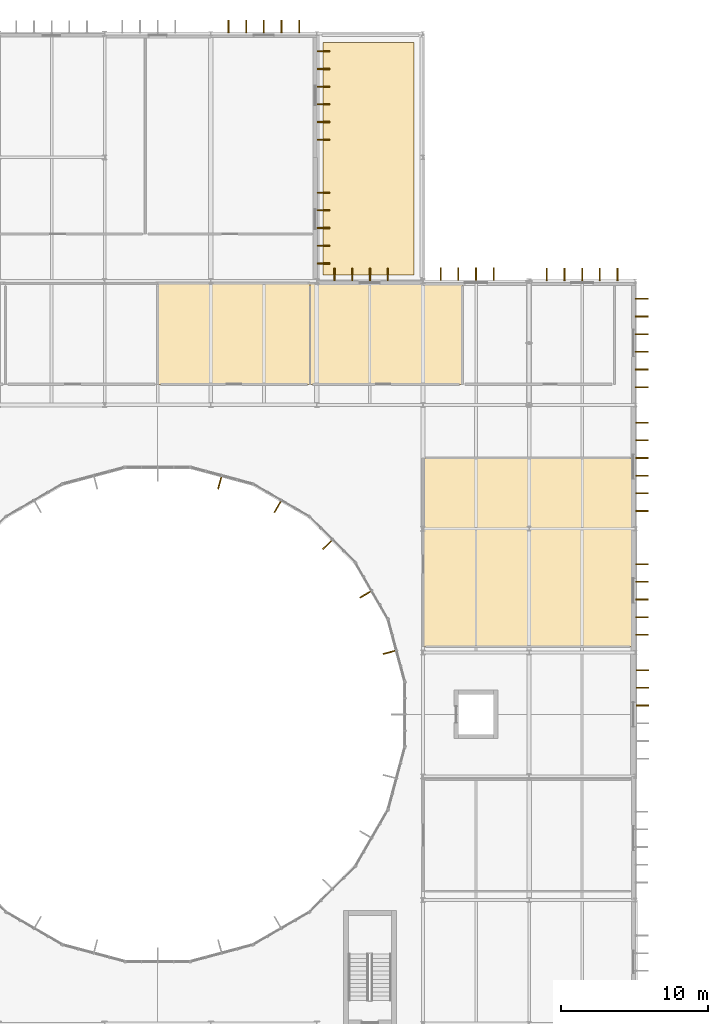
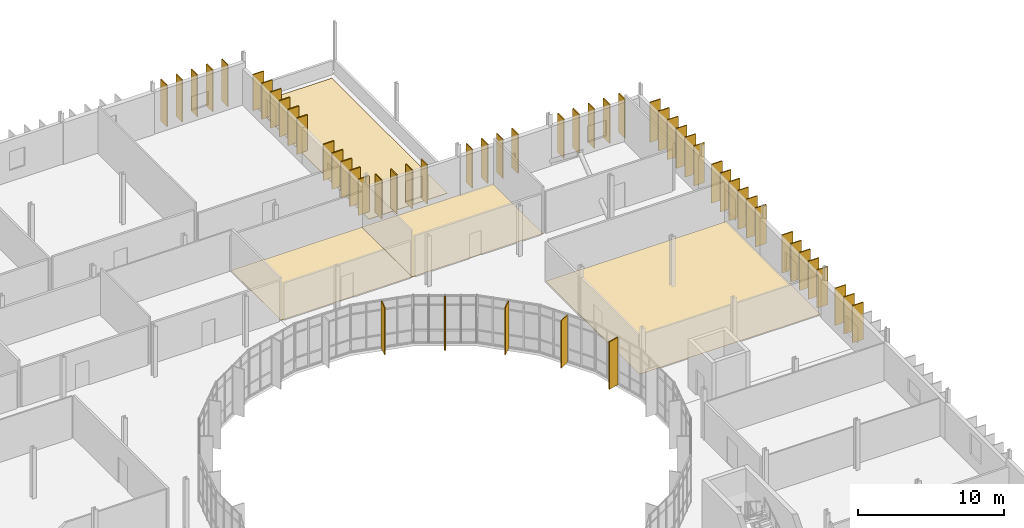
# One storey, part 119 of 119: 54 shading devices, 4 coverings.
"""IFC4 building model written with IfcOpenShell, lengths in metres."""

import ifcopenshell
import ifcopenshell.guid

model = None  # the IFC model being written
_history = None  # IfcOwnerHistory: only IFC2X3 demands one
_inside = {}  # id of a spatial element -> (the spatial element, [elements in it])
_under = {}  # id of a project, library or spatial element -> (it, [spatial elements below it])
_declared = {}  # id of a project -> (the project, [libraries it declares])
_typed = {}  # id of a type object -> (the type object, [elements of that type])
_made_of = {}  # id of a material, layer set ... -> (it, [elements and type objects made of it])


def new_model(schema):
    """Start an empty IFC model of exactly this schema.

    Asked for "IFC4X3", IfcOpenShell would pick the latest addendum, in which some entities
    have other attributes; the version numbers below select the first issue.
    IFC2X3 requires an IfcOwnerHistory on every rooted entity: one is made here for all.
    """
    global model, _history
    if schema == "IFC4X3":
        model = ifcopenshell.file(schema_version=(4, 3, 0, 0))
    else:
        model = ifcopenshell.file(schema=schema)
    _inside.clear()
    _under.clear()
    _declared.clear()
    _typed.clear()
    _made_of.clear()
    _history = None
    if model.schema == "IFC2X3":
        org = make("IfcOrganization", Name="unknown")
        user = make(
            "IfcPersonAndOrganization",
            ThePerson=make("IfcPerson", FamilyName="unknown"),
            TheOrganization=org,
        )
        app = make(
            "IfcApplication",
            ApplicationDeveloper=org,
            Version="unknown",
            ApplicationFullName="unknown",
            ApplicationIdentifier="unknown",
        )
        _history = make(
            "IfcOwnerHistory",
            OwningUser=user,
            OwningApplication=app,
            ChangeAction="ADDED",
            CreationDate=0,
        )
    return model


def make(cls, **values):
    """One entity of the class cls with the attributes given. An attribute that is None is left unset."""
    return model.create_entity(
        cls, **{name: value for name, value in values.items() if value is not None}
    )


def rooted(cls, **values):
    """An entity with a GlobalId (a new one), such as an element, a storey or a relation."""
    return make(cls, GlobalId=ifcopenshell.guid.new(), OwnerHistory=_history, **values)


def si_unit(unit_type, name, prefix=None):
    """IfcSIUnit, for example si_unit("LENGTHUNIT", "METRE", prefix="MILLI")."""
    return make("IfcSIUnit", UnitType=unit_type, Prefix=prefix, Name=name)


def assignment(units):
    """IfcUnitAssignment: the units of a project."""
    return None if units is None else make("IfcUnitAssignment", Units=units)


def point(xyz):
    """IfcCartesianPoint."""
    return None if xyz is None else make("IfcCartesianPoint", Coordinates=xyz)


def direction(xyz):
    """IfcDirection."""
    return None if xyz is None else make("IfcDirection", DirectionRatios=xyz)


def frame(location, z_axis=None, x_axis=None):
    """IfcAxis2Placement3D, a coordinate frame: its origin and axes. An axis left out is left unset."""
    return make(
        "IfcAxis2Placement3D",
        Location=point(location),
        Axis=direction(z_axis),
        RefDirection=direction(x_axis),
    )


def frame_2d(location, x_axis=None):
    """IfcAxis2Placement2D, a coordinate frame in the plane: its origin and x axis."""
    return make(
        "IfcAxis2Placement2D", Location=point(location), RefDirection=direction(x_axis)
    )


def origin():
    """The frame at (0, 0, 0) with its axes left unset."""
    return frame((0.0, 0.0, 0.0))


def origin_2d():
    """The frame at (0, 0) in the plane with its x axis left unset."""
    return frame_2d((0.0, 0.0))


def place(relative_to, where):
    """IfcLocalPlacement: puts the frame where relative to a parent placement (None: the world)."""
    return make(
        "IfcLocalPlacement", PlacementRelTo=relative_to, RelativePlacement=where
    )


def context(
    kind, dimensions, precision=None, world=None, true_north=None, identifier=None
):
    """IfcGeometricRepresentationContext, for example the 3D "Model" context."""
    return make(
        "IfcGeometricRepresentationContext",
        ContextIdentifier=identifier,
        ContextType=kind,
        CoordinateSpaceDimension=dimensions,
        Precision=precision,
        WorldCoordinateSystem=world,
        TrueNorth=true_north,
    )


def subcontext(parent, identifier, kind, view, scale=None):
    """IfcGeometricRepresentationSubContext, for example "Body" below "Model"."""
    return make(
        "IfcGeometricRepresentationSubContext",
        ContextIdentifier=identifier,
        ContextType=kind,
        ParentContext=parent,
        TargetScale=scale,
        TargetView=view,
    )


def project(units=None, contexts=None):
    """IfcProject with its units and contexts."""
    return rooted(
        "IfcProject",
        Name="project",
        RepresentationContexts=contexts,
        UnitsInContext=assignment(units),
    )


def spatial(cls, under=None, at=None, **own):
    """A site, building, storey or space (cls), placed at a placement, below another one or the project."""
    s = rooted(cls, ObjectPlacement=at, **own)
    if under is not None:
        _under.setdefault(under.id(), (under, []))[1].append(s)
    return s


def polyline(points):
    """IfcPolyline through the points."""
    return make("IfcPolyline", Points=[point(p) for p in points])


def profile(cls, at=None, kind="AREA", **sizes):
    """A parametric profile (cls). Its sizes go by their IFC names, for example OverallWidth=200.0."""
    return make(cls, ProfileType=kind, Position=at, **sizes)


def rectangle(**sizes):
    """IfcRectangleProfileDef."""
    return profile("IfcRectangleProfileDef", **sizes)


def outline(outer, holes=None, kind="AREA"):
    """IfcArbitraryClosedProfileDef: a profile drawn as a closed curve; with holes, ...WithVoids."""
    if holes is None:
        return make("IfcArbitraryClosedProfileDef", ProfileType=kind, OuterCurve=outer)
    return make(
        "IfcArbitraryProfileDefWithVoids",
        ProfileType=kind,
        OuterCurve=outer,
        InnerCurves=holes,
    )


def extrude(swept, where, along, depth):
    """IfcExtrudedAreaSolid: the profile swept, set in the frame where, extruded along a direction by depth."""
    return make(
        "IfcExtrudedAreaSolid",
        SweptArea=swept,
        Position=where,
        ExtrudedDirection=direction(along),
        Depth=depth,
    )


def shape(context_of_items, identifier, shape_type, items):
    """IfcShapeRepresentation: the items that make up one representation, for example the "Body"."""
    return make(
        "IfcShapeRepresentation",
        ContextOfItems=context_of_items,
        RepresentationIdentifier=identifier,
        RepresentationType=shape_type,
        Items=items,
    )


def material(Name=None, Category=None):
    """IfcMaterial."""
    return make("IfcMaterial", Name=Name, Category=Category)


def layer(
    of_material, thickness, ventilated=None, Name=None, Category=None, Priority=None
):
    """IfcMaterialLayer: one layer of a wall or slab, of a material (None: an air gap)."""
    return make(
        "IfcMaterialLayer",
        Material=of_material,
        LayerThickness=thickness,
        IsVentilated=ventilated,
        Name=Name,
        Category=Category,
        Priority=Priority,
    )


def layer_set(layers, Name=None):
    """IfcMaterialLayerSet."""
    return make("IfcMaterialLayerSet", MaterialLayers=layers, LayerSetName=Name)


def made_of(thing, what):
    """Note that an element or type object is made of a material, layer set ...; save() writes the relation."""
    if what is not None:
        _made_of.setdefault(what.id(), (what, []))[1].append(thing)
    return thing


def type_object(cls, material=None, **own):
    """A type object (cls), such as IfcWallType, which elements share."""
    return made_of(rooted(cls, **own), material)


def element(
    cls,
    number,
    at=None,
    inside=None,
    cuts=None,
    type_object=None,
    material=None,
    context=None,
    identifier="Body",
    shape_type=None,
    held_by="IfcProductDefinitionShape",
    body=None,
    shapes=None,
    **own,
):
    """One element of the class cls, such as IfcWall. Its Tag is "e" and its number.

    at: its placement. inside: the storey or other place that contains it. cuts: it is an
    opening in that element (IfcRelVoidsElement). A single representation is given by context,
    identifier, shape_type and body (its items); several are given by shapes. held_by: the class
    of the entity that holds the representations. save() writes the other relations.
    """
    e = rooted(cls, Tag="e%d" % number, ObjectPlacement=at, **own)
    if body is not None:
        shapes = [shape(context, identifier, shape_type, body)]
    if shapes is not None:
        e.Representation = make(held_by, Representations=shapes)
    if inside is not None:
        _inside.setdefault(inside.id(), (inside, []))[1].append(e)
    if cuts is not None:
        rooted(
            "IfcRelVoidsElement", RelatingBuildingElement=cuts, RelatedOpeningElement=e
        )
    if type_object is not None:
        _typed.setdefault(type_object.id(), (type_object, []))[1].append(e)
    return made_of(e, material)


def aggregate(whole, parts):
    """IfcRelAggregates: a whole, such as a stair, and the parts it consists of."""
    return rooted("IfcRelAggregates", RelatingObject=whole, RelatedObjects=parts)


def save(model, path):
    """Write the relations noted so far, then the file.

    IfcRelAggregates (storeys below a building ...), IfcRelContainedInSpatialStructure (elements
    in a storey), IfcRelDefinesByType, IfcRelAssociatesMaterial and IfcRelDeclares: one each for
    every whole, place, type object, material and project.
    """
    for whole, parts in _under.values():
        aggregate(whole, parts)
    for where, things in _inside.values():
        rooted(
            "IfcRelContainedInSpatialStructure",
            RelatedElements=things,
            RelatingStructure=where,
        )
    for kind, things in _typed.values():
        rooted("IfcRelDefinesByType", RelatedObjects=things, RelatingType=kind)
    for what, things in _made_of.values():
        rooted("IfcRelAssociatesMaterial", RelatedObjects=things, RelatingMaterial=what)
    for by, libraries in _declared.values():
        rooted("IfcRelDeclares", RelatingContext=by, RelatedDefinitions=libraries)
    model.write(path)


model = new_model("IFC4")

# Units and contexts
model_context = context("Model", 3, precision=1e-05, world=origin(), true_north=direction((0.0, 1.0)))
body_context = subcontext(model_context, "Body", "Model", "MODEL_VIEW")
ifc_project = project(units=[si_unit("LENGTHUNIT", "METRE"), si_unit("AREAUNIT", "SQUARE_METRE"), si_unit("VOLUMEUNIT", "CUBIC_METRE"), si_unit("PLANEANGLEUNIT", "RADIAN"), si_unit("MASSUNIT", "GRAM", prefix="KILO")], contexts=[model_context])

# Site, building, storey
site_placement = place(None, origin())
site = spatial("IfcSite", under=ifc_project, at=site_placement, CompositionType="ELEMENT")
building_placement = place(site_placement, origin())
building = spatial("IfcBuilding", under=site, at=building_placement, Name="Qelthora Terrace Specialist Clinic", CompositionType="ELEMENT")
storey_placement = place(building_placement, frame((0.0, 0.0, 4.800048828125)))
storey = spatial("IfcBuildingStorey", under=building, at=storey_placement, Name="L01", CompositionType="ELEMENT", Elevation=4.800048828125)

# Coverings
ifc_material_1 = material(Name="Antimicrobial clinical linoleum flooring", Category="other")
ifc_layer_1 = layer(ifc_material_1, 0.011962890625)
ifc_layer_set_1 = layer_set([ifc_layer_1], Name="Antimicrobial clinical linoleum flooring")
covering_type_1 = type_object("IfcCoveringType", Name="COV-FLR-LINO-12", PredefinedType="FLOORING", material=ifc_layer_set_1)
covering_1_placement = place(storey_placement, origin())
element("IfcCovering", 1, at=covering_1_placement, inside=storey, type_object=covering_type_1, Name="Pulmonology Consulting L01-39 resilient linoleum flooring", PredefinedType="FLOORING", context=body_context, shape_type="SweptSolid", body=[
    extrude(outline(polyline([(126.0048828125, 85.39990234375), (126.0048828125, 92.25), (136.333251953125, 92.25), (136.333251953125, 85.39990234375), (126.0048828125, 85.39990234375)])), origin(), (0.0, 0.0, 1.0), 0.011962890625),
])
covering_2_placement = place(storey_placement, origin())
element("IfcCovering", 2, at=covering_2_placement, inside=storey, type_object=covering_type_1, Name="Sleep Medicine Suite L01-40 resilient linoleum flooring", PredefinedType="FLOORING", context=body_context, shape_type="SweptSolid", body=[
    extrude(outline(polyline([(136.33837890625, 85.39990234375), (136.33837890625, 92.25), (146.666748046875, 92.25), (146.666748046875, 85.39990234375), (136.33837890625, 85.39990234375)])), origin(), (0.0, 0.0, 1.0), 0.011962890625),
])
covering_3_placement = place(storey_placement, origin())
element("IfcCovering", 3, at=covering_3_placement, inside=storey, type_object=covering_type_1, Name="Outpatient Minor Treatment East L01-43 resilient linoleum flooring", PredefinedType="FLOORING", context=body_context, shape_type="SweptSolid", body=[
    extrude(outline(polyline([(144.0, 67.60009765625), (144.0, 80.39990234375), (158.27001953125, 80.39990234375), (158.27001953125, 67.60009765625), (144.0, 67.60009765625)])), origin(), (0.0, 0.0, 1.0), 0.011962890625),
])
ifc_material_2 = material(Name="Standing-seam titanium-zinc", Category="metals")
ifc_layer_2 = layer(ifc_material_2, 0.0400390625)
ifc_layer_set_2 = layer_set([ifc_layer_2], Name="Standing-seam titanium-zinc")
covering_type_2 = type_object("IfcCoveringType", Name="COV-ROOF-ZINC", PredefinedType="ROOFING", material=ifc_layer_set_2)
covering_4_placement = place(storey_placement, origin())
element("IfcCovering", 4, at=covering_4_placement, inside=storey, type_object=covering_type_2, Name="Standing-seam zinc roof covering RCOV-L01-09", PredefinedType="ROOFING", context=body_context, shape_type="SweptSolid", body=[
    extrude(outline(polyline([(137.199951171875, 92.800048828125), (143.39990234375, 92.800048828125), (143.39990234375, 108.60009765625), (137.199951171875, 108.60009765625), (137.199951171875, 92.800048828125)])), origin(), (0.0, 0.0, 1.0), 0.0400390625),
])

# Shading devices
ifc_material_3 = material(Name="Glulam timber GL28h", Category="wood")
shading_device_type = type_object("IfcShadingDeviceType", Name="SHD-FIN-850", PredefinedType="USERDEFINED", material=ifc_material_3)
for number, where, z_axis, x_axis, name in (
    (5, (141.707275390625, 67.208740234375, 0.0), (0.0, 0.0, 1.0), (-0.965925826289, -0.258819045103, 0.0), "Court solar fin FIN-0023"),
    (6, (140.082763671875, 71.130615234375, 0.0), (0.0, 0.0, 1.0), (-0.866025403784, -0.5, 0.0), "Court solar fin FIN-0024"),
    (7, (137.49853515625, 74.49853515625, 0.0), (0.0, 0.0, 1.0), (-0.707106781187, -0.707106781187, 0.0), "Court solar fin FIN-0025"),
    (8, (134.130615234375, 77.082763671875, 0.0), (0.0, 0.0, 1.0), (-0.5, -0.866025403784, 0.0), "Court solar fin FIN-0026"),
    (9, (130.208740234375, 78.707275390625, 0.0), (0.0, 0.0, 1.0), (-0.258819045103, -0.965925826289, 0.0), "Court solar fin FIN-0027"),
):
    element("IfcShadingDevice", number, at=place(storey_placement, frame(where, z_axis=z_axis, x_axis=x_axis)), inside=storey, type_object=shading_device_type, Name=name, ObjectType="FIN", PredefinedType="USERDEFINED", context=body_context, shape_type="SweptSolid", body=[
        extrude(rectangle(XDim=0.85009765625, YDim=0.080078125, at=origin_2d()), origin(), (0.0, 0.0, 1.0), 3.945068359375),
    ])
for number, where, z_axis, x_axis, name in (
    (10, (130.800048828125, 109.6650390625, 0.0), (0.0, 0.0, 1.0), (0.0, 1.0, 0.0), "Exterior solar shading fin FIN-0863"),
    (11, (132.0, 109.6650390625, 0.0), (0.0, 0.0, 1.0), (0.0, 1.0, 0.0), "Exterior solar shading fin FIN-0864"),
    (12, (133.199951171875, 109.6650390625, 0.0), (0.0, 0.0, 1.0), (0.0, 1.0, 0.0), "Exterior solar shading fin FIN-0865"),
    (13, (134.39990234375, 109.6650390625, 0.0), (0.0, 0.0, 1.0), (0.0, 1.0, 0.0), "Exterior solar shading fin FIN-0866"),
    (14, (135.60009765625, 109.6650390625, 0.0), (0.0, 0.0, 1.0), (0.0, 1.0, 0.0), "Exterior solar shading fin FIN-0867"),
):
    element("IfcShadingDevice", number, at=place(storey_placement, frame(where, z_axis=z_axis, x_axis=x_axis)), inside=storey, type_object=shading_device_type, Name=name, ObjectType="FIN", PredefinedType="USERDEFINED", context=body_context, shape_type="SweptSolid", body=[
        extrude(rectangle(XDim=0.85009765625, YDim=0.080078125, at=origin_2d()), origin(), (0.0, 0.0, 1.0), 3.48193359375),
    ])
for number, where, z_axis, x_axis, name in (
    (15, (137.2548828125, 93.60009765625, 0.0), (0.0, 0.0, 1.0), (1.0, 0.0, 0.0), "Exterior solar shading fin FIN-0868"),
    (16, (137.2548828125, 94.800048828125, 0.0), (0.0, 0.0, 1.0), (1.0, 0.0, 0.0), "Exterior solar shading fin FIN-0869"),
    (17, (137.2548828125, 96.0, 0.0), (0.0, 0.0, 1.0), (1.0, 0.0, 0.0), "Exterior solar shading fin FIN-0870"),
    (18, (137.2548828125, 97.199951171875, 0.0), (0.0, 0.0, 1.0), (1.0, 0.0, 0.0), "Exterior solar shading fin FIN-0871"),
    (19, (137.2548828125, 98.39990234375, 0.0), (0.0, 0.0, 1.0), (1.0, 0.0, 0.0), "Exterior solar shading fin FIN-0872"),
    (20, (137.2451171875, 102.0, 0.0), (0.0, 0.0, 1.0), (1.0, 0.0, 0.0), "Exterior solar shading fin FIN-0873"),
    (21, (137.2451171875, 103.199951171875, 0.0), (0.0, 0.0, 1.0), (1.0, 0.0, 0.0), "Exterior solar shading fin FIN-0874"),
    (22, (137.2451171875, 104.39990234375, 0.0), (0.0, 0.0, 1.0), (1.0, 0.0, 0.0), "Exterior solar shading fin FIN-0875"),
    (23, (137.2451171875, 105.60009765625, 0.0), (0.0, 0.0, 1.0), (1.0, 0.0, 0.0), "Exterior solar shading fin FIN-0876"),
    (24, (137.2451171875, 106.800048828125, 0.0), (0.0, 0.0, 1.0), (1.0, 0.0, 0.0), "Exterior solar shading fin FIN-0877"),
    (25, (137.2451171875, 108.0, 0.0), (0.0, 0.0, 1.0), (1.0, 0.0, 0.0), "Exterior solar shading fin FIN-0878"),
):
    element("IfcShadingDevice", number, at=place(storey_placement, frame(where, z_axis=z_axis, x_axis=x_axis)), inside=storey, type_object=shading_device_type, Name=name, ObjectType="FIN", PredefinedType="USERDEFINED", context=body_context, shape_type="SweptSolid", body=[
        extrude(rectangle(XDim=0.85009765625, YDim=0.080078125, at=origin_2d()), origin(), (0.0, 0.0, 1.0), 3.014892578125),
    ])
for number, where, z_axis, x_axis, name in (
    (26, (138.0, 92.8349609375, 0.0), (0.0, 0.0, 1.0), (0.0, 1.0, 0.0), "Exterior solar shading fin FIN-0879"),
    (27, (139.199951171875, 92.8349609375, 0.0), (0.0, 0.0, 1.0), (0.0, 1.0, 0.0), "Exterior solar shading fin FIN-0880"),
    (28, (140.39990234375, 92.8349609375, 0.0), (0.0, 0.0, 1.0), (0.0, 1.0, 0.0), "Exterior solar shading fin FIN-0881"),
    (29, (141.60009765625, 92.8349609375, 0.0), (0.0, 0.0, 1.0), (0.0, 1.0, 0.0), "Exterior solar shading fin FIN-0882"),
    (30, (145.199951171875, 92.89501953125, 0.0), (0.0, 0.0, 1.0), (0.0, 1.0, 0.0), "Exterior solar shading fin FIN-0883"),
    (31, (146.39990234375, 92.89501953125, 0.0), (0.0, 0.0, 1.0), (0.0, 1.0, 0.0), "Exterior solar shading fin FIN-0884"),
    (32, (147.60009765625, 92.89501953125, 0.0), (0.0, 0.0, 1.0), (0.0, 1.0, 0.0), "Exterior solar shading fin FIN-0885"),
    (33, (148.800048828125, 92.89501953125, 0.0), (0.0, 0.0, 1.0), (0.0, 1.0, 0.0), "Exterior solar shading fin FIN-0886"),
):
    element("IfcShadingDevice", number, at=place(storey_placement, frame(where, z_axis=z_axis, x_axis=x_axis)), inside=storey, type_object=shading_device_type, Name=name, ObjectType="FIN", PredefinedType="USERDEFINED", context=body_context, shape_type="SweptSolid", body=[
        extrude(rectangle(XDim=0.85009765625, YDim=0.080078125, at=origin_2d()), origin(), (0.0, 0.0, 1.0), 3.2490234375),
    ])
for number, where, z_axis, x_axis, name in (
    (34, (152.39990234375, 92.864990234375, 0.0), (0.0, 0.0, 1.0), (0.0, 1.0, 0.0), "Exterior solar shading fin FIN-0887"),
    (35, (153.60009765625, 92.864990234375, 0.0), (0.0, 0.0, 1.0), (0.0, 1.0, 0.0), "Exterior solar shading fin FIN-0888"),
    (36, (154.800048828125, 92.864990234375, 0.0), (0.0, 0.0, 1.0), (0.0, 1.0, 0.0), "Exterior solar shading fin FIN-0889"),
    (37, (156.0, 92.864990234375, 0.0), (0.0, 0.0, 1.0), (0.0, 1.0, 0.0), "Exterior solar shading fin FIN-0890"),
    (38, (157.199951171875, 92.864990234375, 0.0), (0.0, 0.0, 1.0), (0.0, 1.0, 0.0), "Exterior solar shading fin FIN-0891"),
):
    element("IfcShadingDevice", number, at=place(storey_placement, frame(where, z_axis=z_axis, x_axis=x_axis)), inside=storey, type_object=shading_device_type, Name=name, ObjectType="FIN", PredefinedType="USERDEFINED", context=body_context, shape_type="SweptSolid", body=[
        extrude(rectangle(XDim=0.85009765625, YDim=0.080078125, at=origin_2d()), origin(), (0.0, 0.0, 1.0), 3.25390625),
    ])
for number, where, z_axis, x_axis, name in (
    (39, (158.89501953125, 63.60009765625, 0.0), (0.0, 0.0, 1.0), (1.0, 0.0, 0.0), "Exterior solar shading fin FIN-0910"),
    (40, (158.89501953125, 64.800048828125, 0.0), (0.0, 0.0, 1.0), (1.0, 0.0, 0.0), "Exterior solar shading fin FIN-0911"),
    (41, (158.89501953125, 66.0, 0.0), (0.0, 0.0, 1.0), (1.0, 0.0, 0.0), "Exterior solar shading fin FIN-0912"),
):
    element("IfcShadingDevice", number, at=place(storey_placement, frame(where, z_axis=z_axis, x_axis=x_axis)), inside=storey, type_object=shading_device_type, Name=name, ObjectType="FIN", PredefinedType="USERDEFINED", context=body_context, shape_type="SweptSolid", body=[
        extrude(rectangle(XDim=0.85009765625, YDim=0.080078125, at=origin_2d()), origin(), (0.0, 0.0, 1.0), 3.091064453125),
    ])
for number, where, z_axis, x_axis, name in (
    (42, (158.864990234375, 68.39990234375, 0.0), (0.0, 0.0, 1.0), (1.0, 0.0, 0.0), "Exterior solar shading fin FIN-0913"),
    (43, (158.864990234375, 69.60009765625, 0.0), (0.0, 0.0, 1.0), (1.0, 0.0, 0.0), "Exterior solar shading fin FIN-0914"),
    (44, (158.864990234375, 70.800048828125, 0.0), (0.0, 0.0, 1.0), (1.0, 0.0, 0.0), "Exterior solar shading fin FIN-0915"),
    (45, (158.864990234375, 72.0, 0.0), (0.0, 0.0, 1.0), (1.0, 0.0, 0.0), "Exterior solar shading fin FIN-0916"),
    (46, (158.864990234375, 73.199951171875, 0.0), (0.0, 0.0, 1.0), (1.0, 0.0, 0.0), "Exterior solar shading fin FIN-0917"),
):
    element("IfcShadingDevice", number, at=place(storey_placement, frame(where, z_axis=z_axis, x_axis=x_axis)), inside=storey, type_object=shading_device_type, Name=name, ObjectType="FIN", PredefinedType="USERDEFINED", context=body_context, shape_type="SweptSolid", body=[
        extrude(rectangle(XDim=0.85009765625, YDim=0.080078125, at=origin_2d()), origin(), (0.0, 0.0, 1.0), 3.172119140625),
    ])
for number, where, z_axis, x_axis, name in (
    (47, (158.85498046875, 76.800048828125, 0.0), (0.0, 0.0, 1.0), (1.0, 0.0, 0.0), "Exterior solar shading fin FIN-0918"),
    (48, (158.85498046875, 78.0, 0.0), (0.0, 0.0, 1.0), (1.0, 0.0, 0.0), "Exterior solar shading fin FIN-0919"),
    (49, (158.85498046875, 79.199951171875, 0.0), (0.0, 0.0, 1.0), (1.0, 0.0, 0.0), "Exterior solar shading fin FIN-0920"),
    (50, (158.85498046875, 80.39990234375, 0.0), (0.0, 0.0, 1.0), (1.0, 0.0, 0.0), "Exterior solar shading fin FIN-0921"),
    (51, (158.85498046875, 81.60009765625, 0.0), (0.0, 0.0, 1.0), (1.0, 0.0, 0.0), "Exterior solar shading fin FIN-0922"),
    (52, (158.85498046875, 82.800048828125, 0.0), (0.0, 0.0, 1.0), (1.0, 0.0, 0.0), "Exterior solar shading fin FIN-0923"),
):
    element("IfcShadingDevice", number, at=place(storey_placement, frame(where, z_axis=z_axis, x_axis=x_axis)), inside=storey, type_object=shading_device_type, Name=name, ObjectType="FIN", PredefinedType="USERDEFINED", context=body_context, shape_type="SweptSolid", body=[
        extrude(rectangle(XDim=0.85009765625, YDim=0.080078125, at=origin_2d()), origin(), (0.0, 0.0, 1.0), 3.2490234375),
    ])
for number, where, z_axis, x_axis, name in (
    (53, (158.844970703125, 85.199951171875, 0.0), (0.0, 0.0, 1.0), (1.0, 0.0, 0.0), "Exterior solar shading fin FIN-0924"),
    (54, (158.844970703125, 86.39990234375, 0.0), (0.0, 0.0, 1.0), (1.0, 0.0, 0.0), "Exterior solar shading fin FIN-0925"),
    (55, (158.844970703125, 87.60009765625, 0.0), (0.0, 0.0, 1.0), (1.0, 0.0, 0.0), "Exterior solar shading fin FIN-0926"),
    (56, (158.844970703125, 88.800048828125, 0.0), (0.0, 0.0, 1.0), (1.0, 0.0, 0.0), "Exterior solar shading fin FIN-0927"),
    (57, (158.844970703125, 90.0, 0.0), (0.0, 0.0, 1.0), (1.0, 0.0, 0.0), "Exterior solar shading fin FIN-0928"),
    (58, (158.844970703125, 91.199951171875, 0.0), (0.0, 0.0, 1.0), (1.0, 0.0, 0.0), "Exterior solar shading fin FIN-0929"),
):
    element("IfcShadingDevice", number, at=place(storey_placement, frame(where, z_axis=z_axis, x_axis=x_axis)), inside=storey, type_object=shading_device_type, Name=name, ObjectType="FIN", PredefinedType="USERDEFINED", context=body_context, shape_type="SweptSolid", body=[
        extrude(rectangle(XDim=0.85009765625, YDim=0.080078125, at=origin_2d()), origin(), (0.0, 0.0, 1.0), 3.324951171875),
    ])

save(model, "model.ifc")
